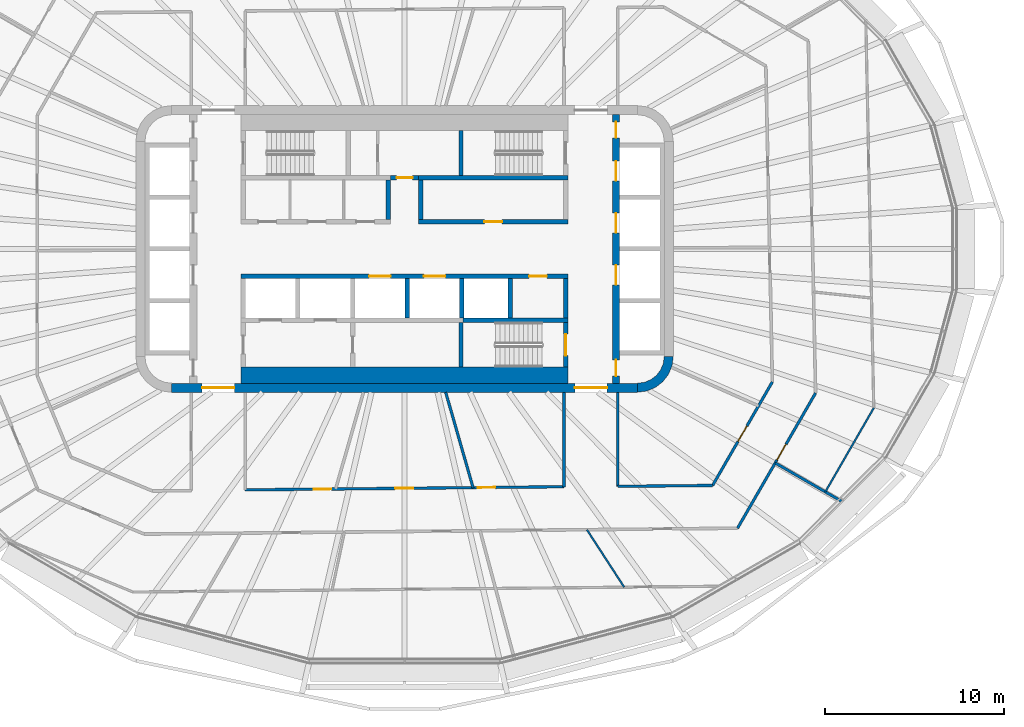
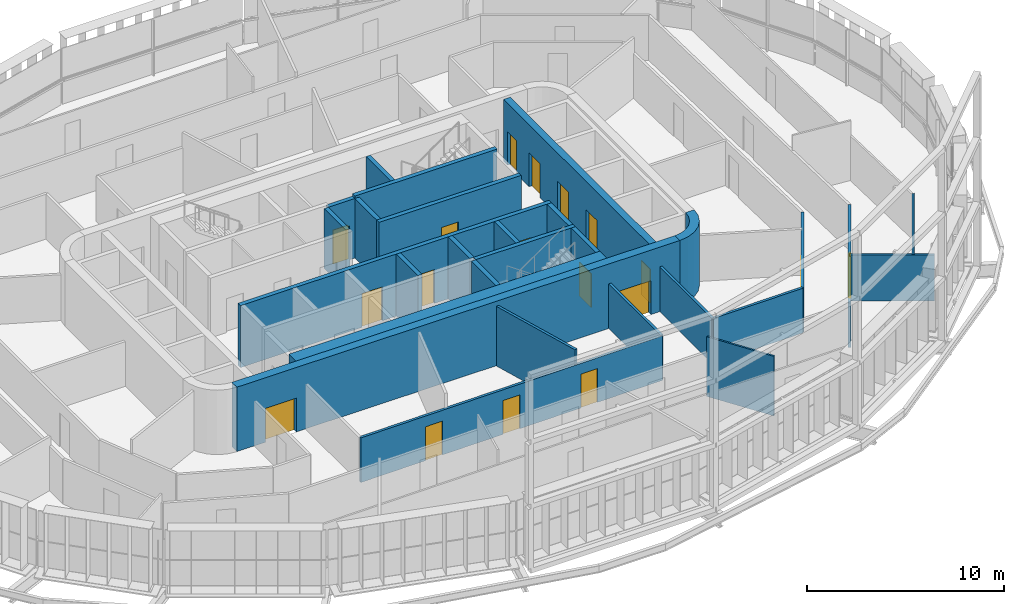
# One storey, part 13 of 23: 28 walls, 18 doors, 18 openings.
"""IFC4 building model written with IfcOpenShell, lengths in metres."""

from ifc_helpers import new_model, si_unit, direction, frame, frame_2d, origin, place, context, subcontext, project, spatial, polyline, rectangle, outline, extrude, material, layer, layer_set, type_object, element, fill, save


model = new_model("IFC4")

# Units and contexts
model_context = context("Model", 3, precision=1e-05, world=origin(), true_north=direction((0.0, 1.0)))
body_context = subcontext(model_context, "Body", "Model", "MODEL_VIEW")
ifc_project = project(units=[si_unit("LENGTHUNIT", "METRE"), si_unit("AREAUNIT", "SQUARE_METRE"), si_unit("VOLUMEUNIT", "CUBIC_METRE"), si_unit("PLANEANGLEUNIT", "RADIAN"), si_unit("MASSUNIT", "GRAM", prefix="KILO")], contexts=[model_context])

# Site, building, storey
site_placement = place(None, origin())
site = spatial("IfcSite", under=ifc_project, at=site_placement, CompositionType="ELEMENT")
building_placement = place(site_placement, origin())
building = spatial("IfcBuilding", under=site, at=building_placement, Name="Sahrelin Media Tower", CompositionType="ELEMENT")
storey_placement = place(building_placement, frame((0.0, 0.0, 185.60009765625)))
storey = spatial("IfcBuildingStorey", under=building, at=storey_placement, Name="L39", CompositionType="ELEMENT", Elevation=185.60009765625)

# Wall, openings, doors
ifc_material_1 = material(Name="Concrete C60/75", Category="concrete")
ifc_layer_1 = layer(ifc_material_1, 0.5)
ifc_layer_set_1 = layer_set([ifc_layer_1], Name="Core wall 500")
wall_type_1 = type_object("IfcWallType", Name="Core wall 500", PredefinedType="SHEAR", material=ifc_layer_set_1)
wall_1_placement = place(storey_placement, frame((-13.0, -7.75, 0.0), z_axis=(0.0, 0.0, 1.0), x_axis=(1.0, 0.0, 0.0)))
wall_1 = element("IfcWall", 1, at=wall_1_placement, inside=storey, type_object=wall_type_1, Name="Core wall S L39", PredefinedType="SHEAR", context=body_context, shape_type="SweptSolid", body=[
    extrude(rectangle(XDim=26.0, YDim=0.5, at=frame_2d((13.0, 0.0))), origin(), (0.0, 0.0, 1.0), 4.0),
])
opening_1_placement = place(wall_1_placement, frame((1.699951171875, 0.0, 0.0)))
opening_1 = element("IfcOpeningElement", 2, at=opening_1_placement, cuts=wall_1, Name="Opening L39-D19", PredefinedType="OPENING", context=body_context, shape_type="SweptSolid", body=[
    extrude(rectangle(XDim=1.800048828125, YDim=2.10009765625, at=frame_2d((0.89990234375, 1.050048828125))), frame((0.0, 0.25, 0.0), z_axis=(0.0, -1.0, 0.0), x_axis=(1.0, 0.0, 0.0)), (0.0, 0.0, 1.0), 0.5),
])
opening_2_placement = place(wall_1_placement, frame((22.5, 0.0, 0.0)))
opening_2 = element("IfcOpeningElement", 3, at=opening_2_placement, cuts=wall_1, Name="Opening L39-D20", PredefinedType="OPENING", context=body_context, shape_type="SweptSolid", body=[
    extrude(rectangle(XDim=1.800048828125, YDim=2.10009765625, at=frame_2d((0.89990234375, 1.050048828125))), frame((0.0, 0.25, 0.0), z_axis=(0.0, -1.0, 0.0), x_axis=(1.0, 0.0, 0.0)), (0.0, 0.0, 1.0), 0.5),
])
ifc_material_2 = material(Name="Steel fire door leaf", Category="steel")
door_type_1 = type_object("IfcDoorType", Name="Lobby double door 1800 x 2100 EI 60", OperationType="DOUBLE_DOOR_SINGLE_SWING", PredefinedType="DOOR", material=ifc_material_2)
door_1_placement = place(opening_1_placement, origin())
door_1 = element("IfcDoor", 4, at=door_1_placement, inside=storey, type_object=door_type_1, Name="Lobby door", OperationType="DOUBLE_DOOR_SINGLE_SWING", OverallHeight=2.10009765625, OverallWidth=1.800048828125, PredefinedType="DOOR", context=body_context, shape_type="SweptSolid", body=[
    extrude(rectangle(XDim=1.800048828125, YDim=2.10009765625, at=frame_2d((0.89990234375, 1.050048828125))), frame((0.0, 0.02490234375, 0.0), z_axis=(0.0, -1.0, 0.0), x_axis=(1.0, 0.0, 0.0)), (0.0, 0.0, 1.0), 0.050048828125),
])
fill(opening_1, door_1)
door_2_placement = place(opening_2_placement, origin())
door_2 = element("IfcDoor", 5, at=door_2_placement, inside=storey, type_object=door_type_1, Name="Lobby door", OperationType="DOUBLE_DOOR_SINGLE_SWING", OverallHeight=2.10009765625, OverallWidth=1.800048828125, PredefinedType="DOOR", context=body_context, shape_type="SweptSolid", body=[
    extrude(rectangle(XDim=1.800048828125, YDim=2.10009765625, at=frame_2d((0.89990234375, 1.050048828125))), frame((0.0, 0.02490234375, 0.0), z_axis=(0.0, -1.0, 0.0), x_axis=(1.0, 0.0, 0.0)), (0.0, 0.0, 1.0), 0.050048828125),
])
fill(opening_2, door_2)

# Wall
wall_2_placement = place(storey_placement, origin())
element("IfcWall", 6, at=wall_2_placement, inside=storey, type_object=wall_type_1, Name="Core wall corner SE L39", PredefinedType="SHEAR", context=body_context, shape_type="SweptSolid", body=[
    extrude(outline(polyline([(15.0, -6.0), (14.49560546875, -6.0), (14.44482421875, -6.38720703125), (14.29541015625, -6.747802734375), (14.0576171875, -7.0576171875), (13.747802734375, -7.29541015625), (13.38720703125, -7.44482421875), (13.0, -7.49560546875), (13.0, -8.0), (13.517578125, -7.931884765625), (14.0, -7.732177734375), (14.414306640625, -7.414306640625), (14.732177734375, -7.0), (14.931884765625, -6.517578125), (15.0, -6.0)])), origin(), (0.0, 0.0, 1.0), 4.0),
])

# Wall, opening, door
ifc_material_3 = material(Name="Fire-rated gypsum board partition")
ifc_layer_2 = layer(ifc_material_3, 0.25)
ifc_layer_set_2 = layer_set([ifc_layer_2], Name="Fire-rated lobby wall 250")
wall_type_2 = type_object("IfcWallType", Name="Fire-rated lobby wall 250", PredefinedType="PARTITIONING", material=ifc_layer_set_2)
wall_3_placement = place(storey_placement, frame((-0.77490234375, 3.97509765625, 0.0), z_axis=(0.0, 0.0, 1.0), x_axis=(1.0, 0.0, 0.0)))
wall_3 = element("IfcWall", 7, at=wall_3_placement, inside=storey, type_object=wall_type_2, Name="Core lobby wall", PredefinedType="PARTITIONING", context=body_context, shape_type="SweptSolid", body=[
    extrude(rectangle(XDim=1.5498046875, YDim=0.25, at=frame_2d((0.77490234375, 0.0))), origin(), (0.0, 0.0, 1.0), 3.699951171875),
])
opening_3_placement = place(wall_3_placement, frame((0.324951171875, 0.0, 0.0)))
opening_3 = element("IfcOpeningElement", 8, at=opening_3_placement, cuts=wall_3, Name="Opening L39-D06", PredefinedType="OPENING", context=body_context, shape_type="SweptSolid", body=[
    extrude(rectangle(XDim=0.89990234375, YDim=2.10009765625, at=frame_2d((0.449951171875, 1.050048828125))), frame((0.0, 0.125, 0.0), z_axis=(0.0, -1.0, 0.0), x_axis=(1.0, 0.0, 0.0)), (0.0, 0.0, 1.0), 0.25),
])
door_type_2 = type_object("IfcDoorType", Name="Riser door 900 x 2100 EI 120", OperationType="NOTDEFINED", PredefinedType="DOOR", material=ifc_material_2)
door_3_placement = place(opening_3_placement, origin())
door_3 = element("IfcDoor", 9, at=door_3_placement, inside=storey, type_object=door_type_2, Name="Core room door", OperationType="SINGLE_SWING_LEFT", OverallHeight=2.10009765625, OverallWidth=0.89990234375, PredefinedType="DOOR", context=body_context, shape_type="SweptSolid", body=[
    extrude(rectangle(XDim=0.89990234375, YDim=2.10009765625, at=frame_2d((0.449951171875, 1.050048828125))), frame((0.0, 0.02490234375, 0.0), z_axis=(0.0, -1.0, 0.0), x_axis=(1.0, 0.0, 0.0)), (0.0, 0.0, 1.0), 0.050048828125),
])
fill(opening_3, door_3)

wall_4_placement = place(storey_placement, frame((0.77490234375, 1.52490234375, 0.0), z_axis=(0.0, 0.0, 1.0), x_axis=(1.0, 0.0, 0.0)))
wall_4 = element("IfcWall", 10, at=wall_4_placement, inside=storey, type_object=wall_type_2, Name="Core lobby wall", PredefinedType="PARTITIONING", context=body_context, shape_type="SweptSolid", body=[
    extrude(rectangle(XDim=8.35009765625, YDim=0.25, at=frame_2d((4.175048828125, 0.0))), origin(), (0.0, 0.0, 1.0), 3.699951171875),
])
opening_4_placement = place(wall_4_placement, frame((3.675048828125, 0.0, 0.0)))
opening_4 = element("IfcOpeningElement", 11, at=opening_4_placement, cuts=wall_4, Name="Opening L39-D11", PredefinedType="OPENING", context=body_context, shape_type="SweptSolid", body=[
    extrude(rectangle(XDim=1.0, YDim=2.10009765625, at=frame_2d((0.5, 1.050048828125))), frame((0.0, 0.125, 0.0), z_axis=(0.0, -1.0, 0.0), x_axis=(1.0, 0.0, 0.0)), (0.0, 0.0, 1.0), 0.25),
])
door_type_3 = type_object("IfcDoorType", Name="Fire door 1000 x 2100 EI 60", OperationType="NOTDEFINED", PredefinedType="DOOR", material=ifc_material_2)
door_4_placement = place(opening_4_placement, origin())
door_4 = element("IfcDoor", 12, at=door_4_placement, inside=storey, type_object=door_type_3, Name="Core room door", OperationType="SINGLE_SWING_LEFT", OverallHeight=2.10009765625, OverallWidth=1.0, PredefinedType="DOOR", context=body_context, shape_type="SweptSolid", body=[
    extrude(rectangle(XDim=1.0, YDim=2.10009765625, at=frame_2d((0.5, 1.050048828125))), frame((0.0, 0.02490234375, 0.0), z_axis=(0.0, -1.0, 0.0), x_axis=(1.0, 0.0, 0.0)), (0.0, 0.0, 1.0), 0.050048828125),
])
fill(opening_4, door_4)

# Walls
for number, where, z_axis, x_axis, name in (
    (13, (-0.89990234375, 1.64990234375, 0.0), (0.0, 0.0, 1.0), (0.0, 1.0, 0.0), "Core lobby wall"),
    (14, (0.89990234375, 1.64990234375, 0.0), (0.0, 0.0, 1.0), (0.0, 1.0, 0.0), "Core lobby wall"),
):
    element("IfcWall", number, at=place(storey_placement, frame(where, z_axis=z_axis, x_axis=x_axis)), inside=storey, type_object=wall_type_2, Name=name, PredefinedType="PARTITIONING", context=body_context, shape_type="SweptSolid", body=[
        extrude(rectangle(XDim=2.2001953125, YDim=0.25, at=frame_2d((1.10009765625, 0.0))), origin(), (0.0, 0.0, 1.0), 3.699951171875),
    ])
ifc_layer_3 = layer(ifc_material_3, 0.14990234375)
ifc_layer_set_3 = layer_set([ifc_layer_3], Name="Fire-rated partition 150")
wall_type_3 = type_object("IfcWallType", Name="Fire-rated partition 150", PredefinedType="PARTITIONING", material=ifc_layer_set_3)
wall_5_placement = place(storey_placement, frame((2.2958984375, -8.0, 0.0), z_axis=(0.0, 0.0, 1.0), x_axis=(0.275935525478, -0.961176147113, 0.0)))
element("IfcWall", 15, at=wall_5_placement, inside=storey, type_object=wall_type_3, Name="Wall", PredefinedType="PARTITIONING", context=body_context, shape_type="SweptSolid", body=[
    extrude(rectangle(XDim=5.54833984375, YDim=0.14990234375, at=frame_2d((2.774169921875, 0.0))), origin(), (0.0, 0.0, 1.0), 3.699951171875),
])
wall_6_placement = place(storey_placement, frame((20.68994140625, -11.945068359375, 0.0), z_axis=(0.0, 0.0, 1.0), x_axis=(0.866048255864, -0.499960416948, 0.0)))
element("IfcWall", 16, at=wall_6_placement, inside=storey, type_object=wall_type_3, Name="Wall", PredefinedType="PARTITIONING", context=body_context, shape_type="SweptSolid", body=[
    extrude(rectangle(XDim=4.322021484375, YDim=0.14990234375, at=frame_2d((2.1611328125, 0.0))), origin(), (0.0, 0.0, 1.0), 2.844970703125),
])

# Wall, openings, doors
wall_7_placement = place(storey_placement, frame((-8.89990234375, -13.448974609375, 0.0), z_axis=(0.0, 0.0, 1.0), x_axis=(0.999951241216, 0.009874977968, 0.0)))
wall_7 = element("IfcWall", 17, at=wall_7_placement, inside=storey, type_object=wall_type_3, Name="Wall", PredefinedType="PARTITIONING", context=body_context, shape_type="SweptSolid", body=[
    extrude(rectangle(XDim=17.80078125, YDim=0.14990234375, at=frame_2d((8.900390625, 0.0))), origin(), (0.0, 0.0, 1.0), 2.76806640625),
])
opening_5_placement = place(wall_7_placement, frame((3.8173828125, 0.0, 0.0)))
opening_5 = element("IfcOpeningElement", 18, at=opening_5_placement, cuts=wall_7, Name="Opening L39-D21", PredefinedType="OPENING", context=body_context, shape_type="SweptSolid", body=[
    extrude(rectangle(XDim=1.0, YDim=2.10009765625, at=frame_2d((0.5, 1.050048828125))), frame((0.0, 0.074951171875, 0.0), z_axis=(0.0, -1.0, 0.0), x_axis=(1.0, 0.0, 0.0)), (0.0, 0.0, 1.0), 0.14990234375),
])
opening_6_placement = place(wall_7_placement, frame((8.39013671875, 0.0, 0.0)))
opening_6 = element("IfcOpeningElement", 19, at=opening_6_placement, cuts=wall_7, Name="Opening L39-D22", PredefinedType="OPENING", context=body_context, shape_type="SweptSolid", body=[
    extrude(rectangle(XDim=1.0, YDim=2.10009765625, at=frame_2d((0.5, 1.050048828125))), frame((0.0, 0.074951171875, 0.0), z_axis=(0.0, -1.0, 0.0), x_axis=(1.0, 0.0, 0.0)), (0.0, 0.0, 1.0), 0.14990234375),
])
opening_7_placement = place(wall_7_placement, frame((12.97412109375, 0.0, 0.0)))
opening_7 = element("IfcOpeningElement", 20, at=opening_7_placement, cuts=wall_7, Name="Opening L39-D23", PredefinedType="OPENING", context=body_context, shape_type="SweptSolid", body=[
    extrude(rectangle(XDim=1.0, YDim=2.10009765625, at=frame_2d((0.5, 1.050048828125))), frame((0.0, 0.074951171875, 0.0), z_axis=(0.0, -1.0, 0.0), x_axis=(1.0, 0.0, 0.0)), (0.0, 0.0, 1.0), 0.14990234375),
])
door_5_placement = place(opening_5_placement, origin())
door_5 = element("IfcDoor", 21, at=door_5_placement, inside=storey, type_object=door_type_3, Name="Fire door", OperationType="SINGLE_SWING_RIGHT", OverallHeight=2.10009765625, OverallWidth=1.0, PredefinedType="DOOR", context=body_context, shape_type="SweptSolid", body=[
    extrude(rectangle(XDim=1.0, YDim=2.10009765625, at=frame_2d((0.5, 1.050048828125))), frame((0.0, 0.02490234375, 0.0), z_axis=(0.0, -1.0, 0.0), x_axis=(1.0, 0.0, 0.0)), (0.0, 0.0, 1.0), 0.050048828125),
])
fill(opening_5, door_5)
door_6_placement = place(opening_6_placement, origin())
door_6 = element("IfcDoor", 22, at=door_6_placement, inside=storey, type_object=door_type_3, Name="Fire door", OperationType="SINGLE_SWING_RIGHT", OverallHeight=2.10009765625, OverallWidth=1.0, PredefinedType="DOOR", context=body_context, shape_type="SweptSolid", body=[
    extrude(rectangle(XDim=1.0, YDim=2.10009765625, at=frame_2d((0.5, 1.050048828125))), frame((0.0, 0.02490234375, 0.0), z_axis=(0.0, -1.0, 0.0), x_axis=(1.0, 0.0, 0.0)), (0.0, 0.0, 1.0), 0.050048828125),
])
fill(opening_6, door_6)
door_7_placement = place(opening_7_placement, origin())
door_7 = element("IfcDoor", 23, at=door_7_placement, inside=storey, type_object=door_type_3, Name="Fire door", OperationType="SINGLE_SWING_LEFT", OverallHeight=2.10009765625, OverallWidth=1.0, PredefinedType="DOOR", context=body_context, shape_type="SweptSolid", body=[
    extrude(rectangle(XDim=1.0, YDim=2.10009765625, at=frame_2d((0.5, 1.050048828125))), frame((0.0, 0.02490234375, 0.0), z_axis=(0.0, -1.0, 0.0), x_axis=(1.0, 0.0, 0.0)), (0.0, 0.0, 1.0), 0.050048828125),
])
fill(opening_7, door_7)

# Wall
wall_8_placement = place(storey_placement, frame((11.89990234375, -13.2529296875, 0.0), z_axis=(0.0, 0.0, 1.0), x_axis=(0.999951309192, 0.009868092237, 0.0)))
element("IfcWall", 24, at=wall_8_placement, inside=storey, type_object=wall_type_3, Name="Wall", PredefinedType="PARTITIONING", context=body_context, shape_type="SweptSolid", body=[
    extrude(rectangle(XDim=5.29443359375, YDim=0.14990234375, at=frame_2d((2.647216796875, 0.0))), origin(), (0.0, 0.0, 1.0), 2.77685546875),
])

# Wall, opening, door
wall_9_placement = place(storey_placement, frame((18.587158203125, -15.587158203125, 0.0), z_axis=(0.0, 0.0, 1.0), x_axis=(0.499960140076, 0.866048415699, 0.0)))
wall_9 = element("IfcWall", 25, at=wall_9_placement, inside=storey, type_object=wall_type_3, Name="Wall", PredefinedType="PARTITIONING", context=body_context, shape_type="SweptSolid", body=[
    extrude(rectangle(XDim=8.713623046875, YDim=0.14990234375, at=frame_2d((4.35693359375, 0.0))), origin(), (0.0, 0.0, 1.0), 2.77685546875),
])
opening_8_placement = place(wall_9_placement, frame((4.40966796875, 0.0, 0.0)))
opening_8 = element("IfcOpeningElement", 26, at=opening_8_placement, cuts=wall_9, Name="Opening L39-D35", PredefinedType="OPENING", context=body_context, shape_type="SweptSolid", body=[
    extrude(rectangle(XDim=1.0, YDim=2.10009765625, at=frame_2d((0.5, 1.050048828125))), frame((0.0, 0.074951171875, 0.0), z_axis=(0.0, -1.0, 0.0), x_axis=(1.0, 0.0, 0.0)), (0.0, 0.0, 1.0), 0.14990234375),
])
door_8_placement = place(opening_8_placement, origin())
door_8 = element("IfcDoor", 27, at=door_8_placement, inside=storey, type_object=door_type_3, Name="Fire door", OperationType="SINGLE_SWING_LEFT", OverallHeight=2.10009765625, OverallWidth=1.0, PredefinedType="DOOR", context=body_context, shape_type="SweptSolid", body=[
    extrude(rectangle(XDim=1.0, YDim=2.10009765625, at=frame_2d((0.5, 1.050048828125))), frame((0.0, 0.02490234375, 0.0), z_axis=(0.0, -1.0, 0.0), x_axis=(1.0, 0.0, 0.0)), (0.0, 0.0, 1.0), 0.050048828125),
])
fill(opening_8, door_8)

wall_10_placement = place(storey_placement, frame((17.194091796875, -13.200927734375, 0.0), z_axis=(0.0, 0.0, 1.0), x_axis=(0.499955744085, 0.866050953441, 0.0)))
wall_10 = element("IfcWall", 28, at=wall_10_placement, inside=storey, type_object=wall_type_3, Name="Wall", PredefinedType="PARTITIONING", context=body_context, shape_type="SweptSolid", body=[
    extrude(rectangle(XDim=6.67333984375, YDim=0.14990234375, at=frame_2d((3.336669921875, 0.0))), origin(), (0.0, 0.0, 1.0), 2.77685546875),
])
opening_9_placement = place(wall_10_placement, frame((2.834716796875, 0.0, 0.0)))
opening_9 = element("IfcOpeningElement", 29, at=opening_9_placement, cuts=wall_10, Name="Opening L39-D24", PredefinedType="OPENING", context=body_context, shape_type="SweptSolid", body=[
    extrude(rectangle(XDim=1.0, YDim=2.10009765625, at=frame_2d((0.5, 1.050048828125))), frame((0.0, 0.074951171875, 0.0), z_axis=(0.0, -1.0, 0.0), x_axis=(1.0, 0.0, 0.0)), (0.0, 0.0, 1.0), 0.14990234375),
])
door_9_placement = place(opening_9_placement, origin())
door_9 = element("IfcDoor", 30, at=door_9_placement, inside=storey, type_object=door_type_3, Name="Fire door", OperationType="SINGLE_SWING_RIGHT", OverallHeight=2.10009765625, OverallWidth=1.0, PredefinedType="DOOR", context=body_context, shape_type="SweptSolid", body=[
    extrude(rectangle(XDim=1.0, YDim=2.10009765625, at=frame_2d((0.5, 1.050048828125))), frame((0.0, 0.02490234375, 0.0), z_axis=(0.0, -1.0, 0.0), x_axis=(1.0, 0.0, 0.0)), (0.0, 0.0, 1.0), 0.050048828125),
])
fill(opening_9, door_9)

# Walls
wall_11_placement = place(storey_placement, frame((11.89990234375, -13.2529296875, 0.0), z_axis=(0.0, 0.0, 1.0), x_axis=(0.0, 1.0, 0.0)))
element("IfcWall", 31, at=wall_11_placement, inside=storey, type_object=wall_type_3, Name="Wall", PredefinedType="PARTITIONING", context=body_context, shape_type="SweptSolid", body=[
    extrude(rectangle(XDim=5.2529296875, YDim=0.14990234375, at=frame_2d((2.62646484375, 0.0))), origin(), (0.0, 0.0, 1.0), 2.77685546875),
])
wall_12_placement = place(storey_placement, frame((8.89990234375, -13.282958984375, 0.0), z_axis=(0.0, 0.0, 1.0), x_axis=(0.0, 1.0, 0.0)))
element("IfcWall", 32, at=wall_12_placement, inside=storey, type_object=wall_type_3, Name="Wall", PredefinedType="PARTITIONING", context=body_context, shape_type="SweptSolid", body=[
    extrude(rectangle(XDim=5.282958984375, YDim=0.14990234375, at=frame_2d((2.6416015625, 0.0))), origin(), (0.0, 0.0, 1.0), 2.77685546875),
])

# Wall, openings, doors
ifc_layer_4 = layer(ifc_material_1, 0.25)
ifc_layer_set_4 = layer_set([ifc_layer_4], Name="Lift shaft wall 250")
wall_type_4 = type_object("IfcWallType", Name="Lift shaft wall 250", PredefinedType="SOLIDWALL", material=ifc_layer_set_4)
wall_13_placement = place(storey_placement, frame((-9.125, -1.52490234375, 0.0), z_axis=(0.0, 0.0, 1.0), x_axis=(1.0, 0.0, 0.0)))
wall_13 = element("IfcWall", 33, at=wall_13_placement, inside=storey, type_object=wall_type_4, Name="Lift shaft wall", PredefinedType="SOLIDWALL", context=body_context, shape_type="SweptSolid", body=[
    extrude(rectangle(XDim=18.25, YDim=0.25, at=frame_2d((9.125, 0.0))), origin(), (0.0, 0.0, 1.0), 3.849853515625),
])
opening_10_placement = place(wall_13_placement, frame((7.14990234375, 0.0, 0.0)))
opening_10 = element("IfcOpeningElement", 34, at=opening_10_placement, cuts=wall_13, Name="Opening L39-LD-SV1", PredefinedType="OPENING", context=body_context, shape_type="SweptSolid", body=[
    extrude(rectangle(XDim=1.199951171875, YDim=2.10009765625, at=frame_2d((0.60009765625, 1.050048828125))), frame((0.0, 0.125, 0.0), z_axis=(0.0, -1.0, 0.0), x_axis=(1.0, 0.0, 0.0)), (0.0, 0.0, 1.0), 0.25),
])
opening_11_placement = place(wall_13_placement, frame((10.199951171875, 0.0, 0.0)))
opening_11 = element("IfcOpeningElement", 35, at=opening_11_placement, cuts=wall_13, Name="Opening L39-LD-SV2", PredefinedType="OPENING", context=body_context, shape_type="SweptSolid", body=[
    extrude(rectangle(XDim=1.199951171875, YDim=2.10009765625, at=frame_2d((0.60009765625, 1.050048828125))), frame((0.0, 0.125, 0.0), z_axis=(0.0, -1.0, 0.0), x_axis=(1.0, 0.0, 0.0)), (0.0, 0.0, 1.0), 0.25),
])
opening_12_placement = place(wall_13_placement, frame((16.074951171875, 0.0, 0.0)))
opening_12 = element("IfcOpeningElement", 36, at=opening_12_placement, cuts=wall_13, Name="Opening L39-D12", PredefinedType="OPENING", context=body_context, shape_type="SweptSolid", body=[
    extrude(rectangle(XDim=1.0, YDim=2.10009765625, at=frame_2d((0.5, 1.050048828125))), frame((0.0, 0.125, 0.0), z_axis=(0.0, -1.0, 0.0), x_axis=(1.0, 0.0, 0.0)), (0.0, 0.0, 1.0), 0.25),
])
door_10_placement = place(opening_12_placement, origin())
door_10 = element("IfcDoor", 37, at=door_10_placement, inside=storey, type_object=door_type_3, Name="Core room door", OperationType="SINGLE_SWING_RIGHT", OverallHeight=2.10009765625, OverallWidth=1.0, PredefinedType="DOOR", context=body_context, shape_type="SweptSolid", body=[
    extrude(rectangle(XDim=1.0, YDim=2.10009765625, at=frame_2d((0.5, 1.050048828125))), frame((0.0, 0.02490234375, 0.0), z_axis=(0.0, -1.0, 0.0), x_axis=(1.0, 0.0, 0.0)), (0.0, 0.0, 1.0), 0.050048828125),
])
fill(opening_12, door_10)
ifc_material_4 = material(Name="Stainless steel", Category="steel")
door_type_4 = type_object("IfcDoorType", Name="Lift landing door 1200 x 2100 EI 120", OperationType="DOUBLE_DOOR_SLIDING", PredefinedType="DOOR", material=ifc_material_4)
door_11_placement = place(opening_10_placement, origin())
door_11 = element("IfcDoor", 38, at=door_11_placement, inside=storey, type_object=door_type_4, Name="Lift landing door SV1", OperationType="DOUBLE_DOOR_SLIDING", OverallHeight=2.10009765625, OverallWidth=1.199951171875, PredefinedType="DOOR", context=body_context, shape_type="SweptSolid", body=[
    extrude(rectangle(XDim=1.199951171875, YDim=2.10009765625, at=frame_2d((0.60009765625, 1.050048828125))), frame((0.0, 0.02490234375, 0.0), z_axis=(0.0, -1.0, 0.0), x_axis=(1.0, 0.0, 0.0)), (0.0, 0.0, 1.0), 0.050048828125),
])
fill(opening_10, door_11)
door_12_placement = place(opening_11_placement, origin())
door_12 = element("IfcDoor", 39, at=door_12_placement, inside=storey, type_object=door_type_4, Name="Lift landing door SV2", OperationType="DOUBLE_DOOR_SLIDING", OverallHeight=2.10009765625, OverallWidth=1.199951171875, PredefinedType="DOOR", context=body_context, shape_type="SweptSolid", body=[
    extrude(rectangle(XDim=1.199951171875, YDim=2.10009765625, at=frame_2d((0.60009765625, 1.050048828125))), frame((0.0, 0.02490234375, 0.0), z_axis=(0.0, -1.0, 0.0), x_axis=(1.0, 0.0, 0.0)), (0.0, 0.0, 1.0), 0.050048828125),
])
fill(opening_11, door_12)

# Walls
wall_14_placement = place(storey_placement, frame((3.27490234375, -3.97509765625, 0.0), z_axis=(0.0, 0.0, 1.0), x_axis=(1.0, 0.0, 0.0)))
element("IfcWall", 40, at=wall_14_placement, inside=storey, type_object=wall_type_4, Name="Lift shaft wall", PredefinedType="SOLIDWALL", context=body_context, shape_type="SweptSolid", body=[
    extrude(rectangle(XDim=5.85009765625, YDim=0.25, at=frame_2d((2.925048828125, 0.0))), origin(), (0.0, 0.0, 1.0), 3.849853515625),
])
for number, where, z_axis, x_axis, name in (
    (41, (0.14990234375, -3.85009765625, 0.0), (0.0, 0.0, 1.0), (0.0, 1.0, 0.0), "Lift shaft wall"),
    (42, (3.199951171875, -3.85009765625, 0.0), (0.0, 0.0, 1.0), (0.0, 1.0, 0.0), "Lift shaft wall"),
    (43, (5.89990234375, -3.85009765625, 0.0), (0.0, 0.0, 1.0), (0.0, 1.0, 0.0), "Lift shaft wall"),
    (44, (9.0, -3.85009765625, 0.0), (0.0, 0.0, 1.0), (0.0, 1.0, 0.0), "Lift shaft wall"),
):
    element("IfcWall", number, at=place(storey_placement, frame(where, z_axis=z_axis, x_axis=x_axis)), inside=storey, type_object=wall_type_4, Name=name, PredefinedType="SOLIDWALL", context=body_context, shape_type="SweptSolid", body=[
        extrude(rectangle(XDim=2.2001953125, YDim=0.25, at=frame_2d((1.10009765625, 0.0))), origin(), (0.0, 0.0, 1.0), 3.849853515625),
    ])

# Wall, openings, doors
ifc_layer_5 = layer(ifc_material_1, 0.39990234375)
ifc_layer_set_5 = layer_set([ifc_layer_5], Name="Lift shaft wall 400")
wall_type_5 = type_object("IfcWallType", Name="Lift shaft wall 400", PredefinedType="SOLIDWALL", material=ifc_layer_set_5)
wall_15_placement = place(storey_placement, frame((11.800048828125, -7.5, 0.0), z_axis=(0.0, 0.0, 1.0), x_axis=(0.0, 1.0, 0.0)))
wall_15 = element("IfcWall", 45, at=wall_15_placement, inside=storey, type_object=wall_type_5, Name="Lift shaft wall", PredefinedType="SOLIDWALL", context=body_context, shape_type="SweptSolid", body=[
    extrude(rectangle(XDim=15.0, YDim=0.39990234375, at=frame_2d((7.5, 0.0))), origin(), (0.0, 0.0, 1.0), 3.849853515625),
])
opening_13_placement = place(wall_15_placement, frame((11.300048828125, 0.0, 0.0)))
opening_13 = element("IfcOpeningElement", 46, at=opening_13_placement, cuts=wall_15, Name="Opening L39-LD-LR4", PredefinedType="OPENING", context=body_context, shape_type="SweptSolid", body=[
    extrude(rectangle(XDim=1.10009765625, YDim=2.10009765625, at=frame_2d((0.550048828125, 1.050048828125))), frame((0.0, 0.199951171875, 0.0), z_axis=(0.0, -1.0, 0.0), x_axis=(1.0, 0.0, 0.0)), (0.0, 0.0, 1.0), 0.39990234375),
])
opening_14_placement = place(wall_15_placement, frame((8.39990234375, 0.0, 0.0)))
opening_14 = element("IfcOpeningElement", 47, at=opening_14_placement, cuts=wall_15, Name="Opening L39-LD-LR5", PredefinedType="OPENING", context=body_context, shape_type="SweptSolid", body=[
    extrude(rectangle(XDim=1.10009765625, YDim=2.10009765625, at=frame_2d((0.550048828125, 1.050048828125))), frame((0.0, 0.199951171875, 0.0), z_axis=(0.0, -1.0, 0.0), x_axis=(1.0, 0.0, 0.0)), (0.0, 0.0, 1.0), 0.39990234375),
])
opening_15_placement = place(wall_15_placement, frame((5.5, 0.0, 0.0)))
opening_15 = element("IfcOpeningElement", 48, at=opening_15_placement, cuts=wall_15, Name="Opening L39-LD-LR6", PredefinedType="OPENING", context=body_context, shape_type="SweptSolid", body=[
    extrude(rectangle(XDim=1.10009765625, YDim=2.10009765625, at=frame_2d((0.550048828125, 1.050048828125))), frame((0.0, 0.199951171875, 0.0), z_axis=(0.0, -1.0, 0.0), x_axis=(1.0, 0.0, 0.0)), (0.0, 0.0, 1.0), 0.39990234375),
])
opening_16_placement = place(wall_15_placement, frame((13.696533203125, 0.0, 0.0)))
opening_16 = element("IfcOpeningElement", 49, at=opening_16_placement, cuts=wall_15, Name="Opening L39-D15", PredefinedType="OPENING", context=body_context, shape_type="SweptSolid", body=[
    extrude(rectangle(XDim=0.89990234375, YDim=2.10009765625, at=frame_2d((0.449951171875, 1.050048828125))), frame((0.0, 0.199951171875, 0.0), z_axis=(0.0, -1.0, 0.0), x_axis=(1.0, 0.0, 0.0)), (0.0, 0.0, 1.0), 0.39990234375),
])
opening_17_placement = place(wall_15_placement, frame((0.4033203125, 0.0, 0.0)))
opening_17 = element("IfcOpeningElement", 50, at=opening_17_placement, cuts=wall_15, Name="Opening L39-D16", PredefinedType="OPENING", context=body_context, shape_type="SweptSolid", body=[
    extrude(rectangle(XDim=0.89990234375, YDim=2.10009765625, at=frame_2d((0.449951171875, 1.050048828125))), frame((0.0, 0.199951171875, 0.0), z_axis=(0.0, -1.0, 0.0), x_axis=(1.0, 0.0, 0.0)), (0.0, 0.0, 1.0), 0.39990234375),
])
door_type_5 = type_object("IfcDoorType", Name="Lift landing door 1100 x 2100 EI 120", OperationType="DOUBLE_DOOR_SLIDING", PredefinedType="DOOR", material=ifc_material_4)
door_13_placement = place(opening_13_placement, origin())
door_13 = element("IfcDoor", 51, at=door_13_placement, inside=storey, type_object=door_type_5, Name="Lift landing door LR4", OperationType="DOUBLE_DOOR_SLIDING", OverallHeight=2.10009765625, OverallWidth=1.10009765625, PredefinedType="DOOR", context=body_context, shape_type="SweptSolid", body=[
    extrude(rectangle(XDim=1.10009765625, YDim=2.10009765625, at=frame_2d((0.550048828125, 1.050048828125))), frame((0.0, 0.02490234375, 0.0), z_axis=(0.0, -1.0, 0.0), x_axis=(1.0, 0.0, 0.0)), (0.0, 0.0, 1.0), 0.050048828125),
])
fill(opening_13, door_13)
door_14_placement = place(opening_14_placement, origin())
door_14 = element("IfcDoor", 52, at=door_14_placement, inside=storey, type_object=door_type_5, Name="Lift landing door LR5", OperationType="DOUBLE_DOOR_SLIDING", OverallHeight=2.10009765625, OverallWidth=1.10009765625, PredefinedType="DOOR", context=body_context, shape_type="SweptSolid", body=[
    extrude(rectangle(XDim=1.10009765625, YDim=2.10009765625, at=frame_2d((0.550048828125, 1.050048828125))), frame((0.0, 0.02490234375, 0.0), z_axis=(0.0, -1.0, 0.0), x_axis=(1.0, 0.0, 0.0)), (0.0, 0.0, 1.0), 0.050048828125),
])
fill(opening_14, door_14)
door_15_placement = place(opening_15_placement, origin())
door_15 = element("IfcDoor", 53, at=door_15_placement, inside=storey, type_object=door_type_5, Name="Lift landing door LR6", OperationType="DOUBLE_DOOR_SLIDING", OverallHeight=2.10009765625, OverallWidth=1.10009765625, PredefinedType="DOOR", context=body_context, shape_type="SweptSolid", body=[
    extrude(rectangle(XDim=1.10009765625, YDim=2.10009765625, at=frame_2d((0.550048828125, 1.050048828125))), frame((0.0, 0.02490234375, 0.0), z_axis=(0.0, -1.0, 0.0), x_axis=(1.0, 0.0, 0.0)), (0.0, 0.0, 1.0), 0.050048828125),
])
fill(opening_15, door_15)
door_16_placement = place(opening_16_placement, origin())
door_16 = element("IfcDoor", 54, at=door_16_placement, inside=storey, type_object=door_type_2, Name="Riser door", OperationType="SINGLE_SWING_RIGHT", OverallHeight=2.10009765625, OverallWidth=0.89990234375, PredefinedType="DOOR", context=body_context, shape_type="SweptSolid", body=[
    extrude(rectangle(XDim=0.89990234375, YDim=2.10009765625, at=frame_2d((0.449951171875, 1.050048828125))), frame((0.0, 0.02490234375, 0.0), z_axis=(0.0, -1.0, 0.0), x_axis=(1.0, 0.0, 0.0)), (0.0, 0.0, 1.0), 0.050048828125),
])
fill(opening_16, door_16)
door_17_placement = place(opening_17_placement, origin())
door_17 = element("IfcDoor", 55, at=door_17_placement, inside=storey, type_object=door_type_2, Name="Riser door", OperationType="SINGLE_SWING_RIGHT", OverallHeight=2.10009765625, OverallWidth=0.89990234375, PredefinedType="DOOR", context=body_context, shape_type="SweptSolid", body=[
    extrude(rectangle(XDim=0.89990234375, YDim=2.10009765625, at=frame_2d((0.449951171875, 1.050048828125))), frame((0.0, 0.02490234375, 0.0), z_axis=(0.0, -1.0, 0.0), x_axis=(1.0, 0.0, 0.0)), (0.0, 0.0, 1.0), 0.050048828125),
])
fill(opening_17, door_17)

# Walls
ifc_material_5 = material(Name="Gypsum board partition")
ifc_layer_6 = layer(ifc_material_5, 0.10009765625)
ifc_layer_set_6 = layer_set([ifc_layer_6], Name="Partition 100")
wall_type_6 = type_object("IfcWallType", Name="Partition 100", PredefinedType="PARTITIONING", material=ifc_layer_set_6)
wall_16_placement = place(storey_placement, frame((10.177001953125, -15.6708984375, 0.0), z_axis=(0.0, 0.0, 1.0), x_axis=(0.544647409198, -0.838665129628, 0.0)))
element("IfcWall", 56, at=wall_16_placement, inside=storey, type_object=wall_type_6, Name="Wall", PredefinedType="PARTITIONING", context=body_context, shape_type="SweptSolid", body=[
    extrude(rectangle(XDim=3.826416015625, YDim=0.10009765625, at=frame_2d((1.9130859375, 0.0))), origin(), (0.0, 0.0, 1.0), 3.699951171875),
])
wall_17_placement = place(storey_placement, frame((23.487060546875, -13.56005859375, 0.0), z_axis=(0.0, 0.0, 1.0), x_axis=(0.500066272392, 0.86598713802, 0.0)))
element("IfcWall", 57, at=wall_17_placement, inside=storey, type_object=wall_type_6, Name="Wall", PredefinedType="PARTITIONING", context=body_context, shape_type="SweptSolid", body=[
    extrude(rectangle(XDim=5.408935546875, YDim=0.10009765625, at=frame_2d((2.70458984375, 0.0))), origin(), (0.0, 0.0, 1.0), 2.844970703125),
])

# Wall, opening, door
ifc_layer_7 = layer(ifc_material_1, 0.25)
ifc_layer_set_7 = layer_set([ifc_layer_7], Name="Stair enclosure wall 250")
wall_type_7 = type_object("IfcWallType", Name="Stair enclosure wall 250", PredefinedType="SOLIDWALL", material=ifc_layer_set_7)
wall_18_placement = place(storey_placement, frame((9.0, -6.60009765625, 0.0), z_axis=(0.0, 0.0, 1.0), x_axis=(0.0, 1.0, 0.0)))
wall_18 = element("IfcWall", 58, at=wall_18_placement, inside=storey, type_object=wall_type_7, Name="Stair enclosure wall", PredefinedType="SOLIDWALL", context=body_context, shape_type="SweptSolid", body=[
    extrude(rectangle(XDim=2.5, YDim=0.25, at=frame_2d((1.25, 0.0))), origin(), (0.0, 0.0, 1.0), 3.849853515625),
])
opening_18_placement = place(wall_18_placement, frame((0.64990234375, 0.0, 0.0)))
opening_18 = element("IfcOpeningElement", 59, at=opening_18_placement, cuts=wall_18, Name="Opening L39-D03", PredefinedType="OPENING", context=body_context, shape_type="SweptSolid", body=[
    extrude(rectangle(XDim=1.199951171875, YDim=2.10009765625, at=frame_2d((0.60009765625, 1.050048828125))), frame((0.0, 0.125, 0.0), z_axis=(0.0, -1.0, 0.0), x_axis=(1.0, 0.0, 0.0)), (0.0, 0.0, 1.0), 0.25),
])
door_type_6 = type_object("IfcDoorType", Name="Stair door 1200 x 2100 EI 120", OperationType="NOTDEFINED", PredefinedType="DOOR", material=ifc_material_2)
door_18_placement = place(opening_18_placement, origin())
door_18 = element("IfcDoor", 60, at=door_18_placement, inside=storey, type_object=door_type_6, Name="Stair door ST2", OperationType="SINGLE_SWING_LEFT", OverallHeight=2.10009765625, OverallWidth=1.199951171875, PredefinedType="DOOR", context=body_context, shape_type="SweptSolid", body=[
    extrude(rectangle(XDim=1.199951171875, YDim=2.10009765625, at=frame_2d((0.60009765625, 1.050048828125))), frame((0.0, 0.02490234375, 0.0), z_axis=(0.0, -1.0, 0.0), x_axis=(1.0, 0.0, 0.0)), (0.0, 0.0, 1.0), 0.050048828125),
])
fill(opening_18, door_18)

# Walls
for number, where, z_axis, x_axis, name in (
    (61, (3.14990234375, 4.10009765625, 0.0), (0.0, 0.0, 1.0), (0.0, 1.0, 0.0), "Stair enclosure wall"),
    (62, (3.14990234375, -6.60009765625, 0.0), (0.0, 0.0, 1.0), (0.0, 1.0, 0.0), "Stair enclosure wall"),
):
    element("IfcWall", number, at=place(storey_placement, frame(where, z_axis=z_axis, x_axis=x_axis)), inside=storey, type_object=wall_type_7, Name=name, PredefinedType="SOLIDWALL", context=body_context, shape_type="SweptSolid", body=[
        extrude(rectangle(XDim=2.5, YDim=0.25, at=frame_2d((1.25, 0.0))), origin(), (0.0, 0.0, 1.0), 3.849853515625),
    ])
wall_19_placement = place(storey_placement, frame((0.77490234375, 3.97509765625, 0.0), z_axis=(0.0, 0.0, 1.0), x_axis=(1.0, 0.0, 0.0)))
element("IfcWall", 63, at=wall_19_placement, inside=storey, type_object=wall_type_7, Name="Stair enclosure wall", PredefinedType="SOLIDWALL", context=body_context, shape_type="SweptSolid", body=[
    extrude(rectangle(XDim=8.35009765625, YDim=0.25, at=frame_2d((4.175048828125, 0.0))), origin(), (0.0, 0.0, 1.0), 3.849853515625),
])
ifc_layer_8 = layer(ifc_material_1, 0.89990234375)
ifc_layer_set_8 = layer_set([ifc_layer_8], Name="Stair enclosure wall 900")
wall_type_8 = type_object("IfcWallType", Name="Stair enclosure wall 900", PredefinedType="SOLIDWALL", material=ifc_layer_set_8)
wall_20_placement = place(storey_placement, frame((-9.125, -7.050048828125, 0.0), z_axis=(0.0, 0.0, 1.0), x_axis=(1.0, 0.0, 0.0)))
element("IfcWall", 64, at=wall_20_placement, inside=storey, type_object=wall_type_8, Name="Stair enclosure wall", PredefinedType="SOLIDWALL", context=body_context, shape_type="SweptSolid", body=[
    extrude(rectangle(XDim=18.25, YDim=0.89990234375, at=frame_2d((9.125, 0.0))), origin(), (0.0, 0.0, 1.0), 3.849853515625),
])

save(model, "model.ifc")
